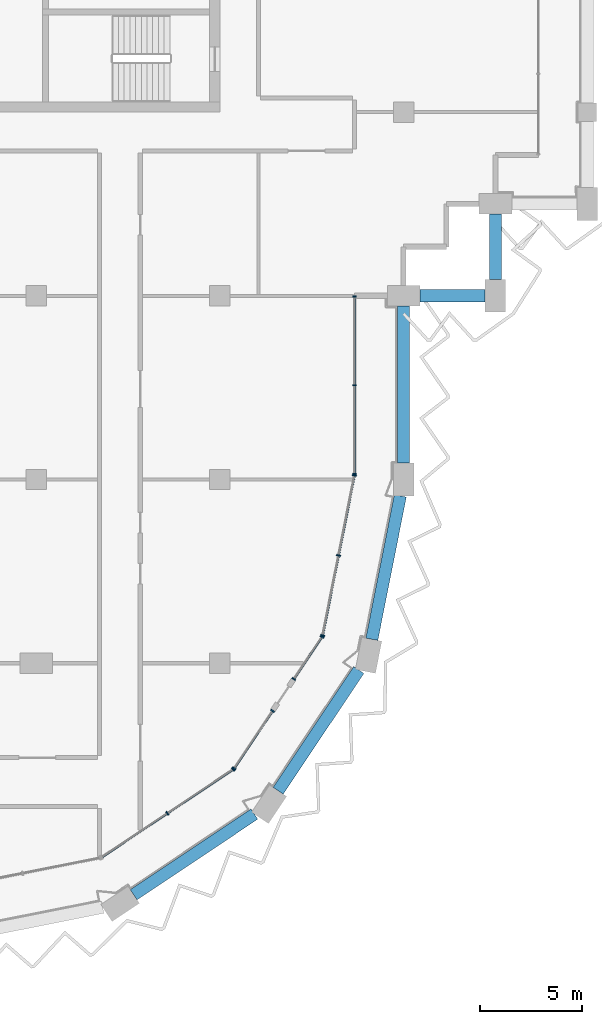
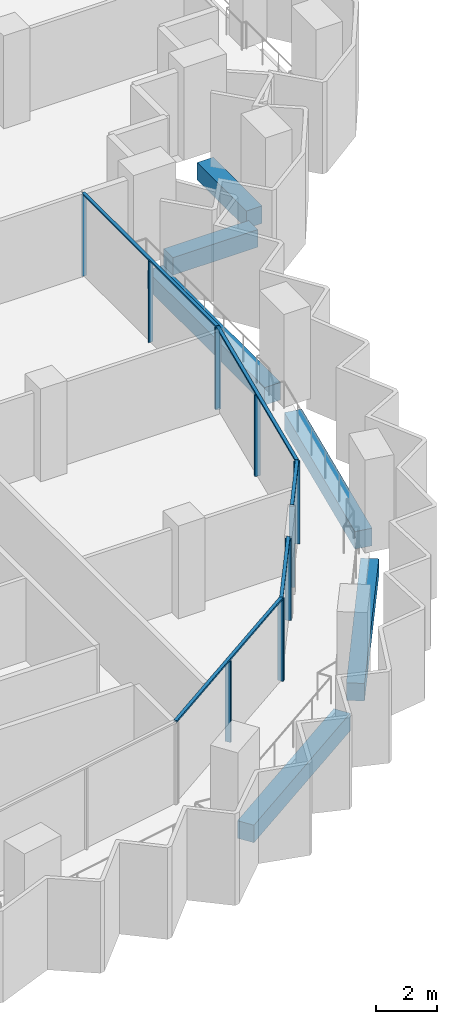
# One storey, part 3 of 16: 17 members, 6 beams, 5 elements without a shape of their own.
"""IFC4 building model written with IfcOpenShell, lengths in metres."""

from ifc_helpers import new_model, si_unit, direction, frame, origin, origin_2d, place, context, subcontext, project, spatial, rectangle, extrude, material, material_profile, profile_set, type_object, element, aggregate, save


model = new_model("IFC4")

# Units and contexts
model_context = context("Model", 3, precision=1e-05, world=origin(), true_north=direction((0.0, 1.0)))
body_context = subcontext(model_context, "Body", "Model", "MODEL_VIEW")
ifc_project = project(units=[si_unit("LENGTHUNIT", "METRE"), si_unit("AREAUNIT", "SQUARE_METRE"), si_unit("VOLUMEUNIT", "CUBIC_METRE"), si_unit("PLANEANGLEUNIT", "RADIAN"), si_unit("MASSUNIT", "GRAM", prefix="KILO")], contexts=[model_context])

# Site, building, storey
site_placement = place(None, origin())
site = spatial("IfcSite", under=ifc_project, at=site_placement, CompositionType="ELEMENT")
building_placement = place(site_placement, origin())
building = spatial("IfcBuilding", under=site, at=building_placement, Name="Hunhe Ridgeline Campus", CompositionType="ELEMENT")
storey_placement = place(building_placement, frame((0.0, 0.0, 242.89990234375)))
storey = spatial("IfcBuildingStorey", under=building, at=storey_placement, Name="L62", CompositionType="ELEMENT", Elevation=242.89990234375)

# Curtain wall, members
ifc_material_1 = material(Name="Aluminium 6063", Category="aluminium")
curtain_wall_type_1 = type_object("IfcCurtainWallType", Name="Curtain wall CW-1", PredefinedType="NOTDEFINED", material=ifc_material_1)
curtain_wall_1_placement = place(storey_placement, origin())
curtain_wall_1 = element("IfcCurtainWall", 1, at=curtain_wall_1_placement, inside=storey, type_object=curtain_wall_type_1, Name="Curtain wall 11", PredefinedType="NOTDEFINED")
ifc_material_profile_1 = material_profile(ifc_material_1, rectangle(XDim=0.159912109375, YDim=0.06005859375, at=origin_2d()))
ifc_profile_set_1 = profile_set([ifc_material_profile_1], Name="Aluminium 6063")
member_type_1 = type_object("IfcMemberType", Name="CW-1 aluminium mullion", PredefinedType="MULLION", material=ifc_profile_set_1)
member_1_placement = place(storey_placement, frame((42.59912109375, 45.266357421875, 0.0), z_axis=(0.0, 0.0, 1.0), x_axis=(-0.999999999814, 1.9283253e-05, 0.0)))
member_1 = element("IfcMember", 2, at=member_1_placement, type_object=member_type_1, Name="CW-1 mullion 1", PredefinedType="MULLION", context=body_context, shape_type="SweptSolid", body=[
    extrude(rectangle(XDim=0.159912109375, YDim=0.06005859375, at=origin_2d()), origin(), (0.0, 0.0, 1.0), 3.239990234375),
])
member_2_placement = place(storey_placement, frame((42.59912109375, 49.618408203125, 0.0), z_axis=(0.0, 0.0, 1.0), x_axis=(-0.999999999814, 1.9283253e-05, 0.0)))
member_2 = element("IfcMember", 3, at=member_2_placement, type_object=member_type_1, Name="CW-1 mullion 2", PredefinedType="MULLION", context=body_context, shape_type="SweptSolid", body=[
    extrude(rectangle(XDim=0.159912109375, YDim=0.06005859375, at=origin_2d()), origin(), (0.0, 0.0, 1.0), 3.239990234375),
])
member_3_placement = place(storey_placement, frame((42.59912109375, 53.970458984375, 0.0), z_axis=(0.0, 0.0, 1.0), x_axis=(-0.999999999814, 1.9283253e-05, 0.0)))
member_3 = element("IfcMember", 4, at=member_3_placement, type_object=member_type_1, Name="CW-1 mullion 3", PredefinedType="MULLION", context=body_context, shape_type="SweptSolid", body=[
    extrude(rectangle(XDim=0.159912109375, YDim=0.06005859375, at=origin_2d()), origin(), (0.0, 0.0, 1.0), 3.239990234375),
])
ifc_material_profile_2 = material_profile(ifc_material_1, rectangle(XDim=0.1201171875, YDim=0.06005859375, at=origin_2d()))
ifc_profile_set_2 = profile_set([ifc_material_profile_2], Name="Aluminium 6063")
member_type_2 = type_object("IfcMemberType", Name="CW-1 aluminium transom", PredefinedType="USERDEFINED", material=ifc_profile_set_2)
member_4_placement = place(storey_placement, frame((42.59912109375, 45.236572265625, 3.27001953125), z_axis=(0.0, 1.0, 0.0), x_axis=(-1.0, 0.0, 0.0)))
member_4 = element("IfcMember", 5, at=member_4_placement, type_object=member_type_2, Name="CW-1 transom 1", ObjectType="TRANSOM", PredefinedType="USERDEFINED", context=body_context, shape_type="SweptSolid", body=[
    extrude(rectangle(XDim=0.1201171875, YDim=0.06005859375, at=origin_2d()), origin(), (0.0, 0.0, 1.0), 8.763916015625),
])
aggregate(curtain_wall_1, [member_4, member_1, member_2, member_3])

curtain_wall_type_2 = type_object("IfcCurtainWallType", Name="Curtain wall CW-5", PredefinedType="NOTDEFINED", material=ifc_material_1)
curtain_wall_2_placement = place(storey_placement, origin())
curtain_wall_2 = element("IfcCurtainWall", 6, at=curtain_wall_2_placement, inside=storey, type_object=curtain_wall_type_2, Name="Curtain wall 07", PredefinedType="NOTDEFINED")
ifc_material_profile_3 = material_profile(ifc_material_1, rectangle(XDim=0.199951171875, YDim=0.070068359375, at=origin_2d()))
ifc_profile_set_3 = profile_set([ifc_material_profile_3], Name="Aluminium 6063")
member_type_3 = type_object("IfcMemberType", Name="CW-5 aluminium mullion", PredefinedType="MULLION", material=ifc_profile_set_3)
member_5_placement = place(storey_placement, frame((33.42626953125, 28.647705078125, 0.0), z_axis=(0.0, 0.0, 1.0), x_axis=(-0.555570274596, 0.831469584522, 0.0)))
member_5 = element("IfcMember", 7, at=member_5_placement, type_object=member_type_3, Name="CW-5 mullion 2", PredefinedType="MULLION", context=body_context, shape_type="SweptSolid", body=[
    extrude(rectangle(XDim=0.199951171875, YDim=0.070068359375, at=origin_2d()), origin(), (0.0, 0.0, 1.0), 3.22998046875),
])
member_6_placement = place(storey_placement, frame((36.649658203125, 30.8017578125, 0.0), z_axis=(0.0, 0.0, 1.0), x_axis=(-0.555570274596, 0.831469584522, 0.0)))
member_6 = element("IfcMember", 8, at=member_6_placement, type_object=member_type_3, Name="CW-5 mullion 3", PredefinedType="MULLION", context=body_context, shape_type="SweptSolid", body=[
    extrude(rectangle(XDim=0.199951171875, YDim=0.070068359375, at=origin_2d()), origin(), (0.0, 0.0, 1.0), 3.22998046875),
])

curtain_wall_3_placement = place(storey_placement, origin())
curtain_wall_3 = element("IfcCurtainWall", 9, at=curtain_wall_3_placement, inside=storey, type_object=curtain_wall_type_2, Name="Curtain wall 08", PredefinedType="NOTDEFINED")
member_7_placement = place(storey_placement, frame((36.6982421875, 30.850341796875, 0.0), z_axis=(0.0, 0.0, 1.0), x_axis=(-0.831469595944, 0.555570257501, 0.0)))
member_7 = element("IfcMember", 10, at=member_7_placement, type_object=member_type_3, Name="CW-5 mullion 1", PredefinedType="MULLION", context=body_context, shape_type="SweptSolid", body=[
    extrude(rectangle(XDim=0.199951171875, YDim=0.070068359375, at=origin_2d()), origin(), (0.0, 0.0, 1.0), 3.22998046875),
])
member_8_placement = place(storey_placement, frame((38.582763671875, 33.67041015625, 0.0), z_axis=(0.0, 0.0, 1.0), x_axis=(-0.831469595944, 0.555570257501, 0.0)))
member_8 = element("IfcMember", 11, at=member_8_placement, type_object=member_type_3, Name="CW-5 mullion 2", PredefinedType="MULLION", context=body_context, shape_type="SweptSolid", body=[
    extrude(rectangle(XDim=0.199951171875, YDim=0.070068359375, at=origin_2d()), origin(), (0.0, 0.0, 1.0), 3.22998046875),
])

curtain_wall_4_placement = place(storey_placement, origin())
curtain_wall_4 = element("IfcCurtainWall", 12, at=curtain_wall_4_placement, inside=storey, type_object=curtain_wall_type_2, Name="Curtain wall 09", PredefinedType="NOTDEFINED")
member_9_placement = place(storey_placement, frame((39.62158203125, 35.225341796875, 0.0), z_axis=(0.0, 0.0, 1.0), x_axis=(-0.831469510353, 0.555570385598, 0.0)))
member_9 = element("IfcMember", 13, at=member_9_placement, type_object=member_type_3, Name="CW-5 mullion 1", PredefinedType="MULLION", context=body_context, shape_type="SweptSolid", body=[
    extrude(rectangle(XDim=0.199951171875, YDim=0.070068359375, at=origin_2d()), origin(), (0.0, 0.0, 1.0), 3.22998046875),
])
member_10_placement = place(storey_placement, frame((41.006103515625, 37.29736328125, 0.0), z_axis=(0.0, 0.0, 1.0), x_axis=(-0.831469510353, 0.555570385598, 0.0)))
member_10 = element("IfcMember", 14, at=member_10_placement, type_object=member_type_3, Name="CW-5 mullion 2", PredefinedType="MULLION", context=body_context, shape_type="SweptSolid", body=[
    extrude(rectangle(XDim=0.199951171875, YDim=0.070068359375, at=origin_2d()), origin(), (0.0, 0.0, 1.0), 3.22998046875),
])

curtain_wall_5_placement = place(storey_placement, origin())
curtain_wall_5 = element("IfcCurtainWall", 15, at=curtain_wall_5_placement, inside=storey, type_object=curtain_wall_type_2, Name="Curtain wall 10", PredefinedType="NOTDEFINED")
member_11_placement = place(storey_placement, frame((41.032470703125, 37.36083984375, 0.0), z_axis=(0.0, 0.0, 1.0), x_axis=(-0.980785284939, 0.195090299215, 0.0)))
member_11 = element("IfcMember", 16, at=member_11_placement, type_object=member_type_3, Name="CW-5 mullion 1", PredefinedType="MULLION", context=body_context, shape_type="SweptSolid", body=[
    extrude(rectangle(XDim=0.199951171875, YDim=0.070068359375, at=origin_2d()), origin(), (0.0, 0.0, 1.0), 3.22998046875),
])
member_12_placement = place(storey_placement, frame((41.812255859375, 41.281494140625, 0.0), z_axis=(0.0, 0.0, 1.0), x_axis=(-0.980785284939, 0.195090299215, 0.0)))
member_12 = element("IfcMember", 17, at=member_12_placement, type_object=member_type_3, Name="CW-5 mullion 2", PredefinedType="MULLION", context=body_context, shape_type="SweptSolid", body=[
    extrude(rectangle(XDim=0.199951171875, YDim=0.070068359375, at=origin_2d()), origin(), (0.0, 0.0, 1.0), 3.22998046875),
])
member_13_placement = place(storey_placement, frame((42.59228515625, 45.2021484375, 0.0), z_axis=(0.0, 0.0, 1.0), x_axis=(-0.980785284939, 0.195090299215, 0.0)))
member_13 = element("IfcMember", 18, at=member_13_placement, type_object=member_type_3, Name="CW-5 mullion 3", PredefinedType="MULLION", context=body_context, shape_type="SweptSolid", body=[
    extrude(rectangle(XDim=0.199951171875, YDim=0.070068359375, at=origin_2d()), origin(), (0.0, 0.0, 1.0), 3.22998046875),
])

# Member
ifc_material_profile_4 = material_profile(ifc_material_1, rectangle(XDim=0.1201171875, YDim=0.070068359375, at=origin_2d()))
ifc_profile_set_4 = profile_set([ifc_material_profile_4], Name="Aluminium 6063")
member_type_4 = type_object("IfcMemberType", Name="CW-5 aluminium transom", PredefinedType="USERDEFINED", material=ifc_profile_set_4)
member_14_placement = place(storey_placement, frame((30.173583984375, 26.474365234375, 3.26513671875), z_axis=(0.831473763475, 0.5555640203, 0.0), x_axis=(-0.5555640203, 0.831473763475, 0.0)))
member_14 = element("IfcMember", 19, at=member_14_placement, type_object=member_type_4, Name="CW-5 transom 1", ObjectType="TRANSOM", PredefinedType="USERDEFINED", context=body_context, shape_type="SweptSolid", body=[
    extrude(rectangle(XDim=0.1201171875, YDim=0.070068359375, at=origin_2d()), origin(), (0.0, 0.0, 1.0), 7.823974609375),
])

aggregate(curtain_wall_2, [member_14, member_5, member_6])

member_15_placement = place(storey_placement, frame((36.678955078125, 30.821044921875, 3.26513671875), z_axis=(0.555546133463, 0.831485714606, 0.0), x_axis=(-0.831485714606, 0.555546133463, 0.0)))
member_15 = element("IfcMember", 20, at=member_15_placement, type_object=member_type_4, Name="CW-5 transom 1", ObjectType="TRANSOM", PredefinedType="USERDEFINED", context=body_context, shape_type="SweptSolid", body=[
    extrude(rectangle(XDim=0.1201171875, YDim=0.070068359375, at=origin_2d()), origin(), (0.0, 0.0, 1.0), 3.462158203125),
])

aggregate(curtain_wall_3, [member_15, member_7, member_8])

member_16_placement = place(storey_placement, frame((39.602294921875, 35.1962890625, 3.26513671875), z_axis=(0.555579547735, 0.831463388334, 0.0), x_axis=(-0.831463388334, 0.555579547735, 0.0)))
member_16 = element("IfcMember", 21, at=member_16_placement, type_object=member_type_4, Name="CW-5 transom 1", ObjectType="TRANSOM", PredefinedType="USERDEFINED", context=body_context, shape_type="SweptSolid", body=[
    extrude(rectangle(XDim=0.1201171875, YDim=0.070068359375, at=origin_2d()), origin(), (0.0, 0.0, 1.0), 2.56201171875),
])

aggregate(curtain_wall_4, [member_16, member_9, member_10])

member_17_placement = place(storey_placement, frame((41.025634765625, 37.326416015625, 3.26513671875), z_axis=(0.195097290093, 0.980783894341, 0.0), x_axis=(-0.980783894341, 0.195097290093, 0.0)))
member_17 = element("IfcMember", 22, at=member_17_placement, type_object=member_type_4, Name="CW-5 transom 1", ObjectType="TRANSOM", PredefinedType="USERDEFINED", context=body_context, shape_type="SweptSolid", body=[
    extrude(rectangle(XDim=0.1201171875, YDim=0.070068359375, at=origin_2d()), origin(), (0.0, 0.0, 1.0), 8.065185546875),
])

aggregate(curtain_wall_5, [member_17, member_11, member_12, member_13])

# Beams
ifc_material_2 = material(Name="Concrete C50", Category="concrete")
ifc_material_profile_5 = material_profile(ifc_material_2, rectangle(XDim=0.60009765625, YDim=0.699951171875, at=origin_2d()))
ifc_profile_set_5 = profile_set([ifc_material_profile_5], Name="Concrete C50")
beam_type = type_object("IfcBeamType", Name="RC spandrel beam 600x700 Concrete C50", PredefinedType="SPANDREL", material=ifc_profile_set_5)
for number, where, z_axis, x_axis, name in (
    (23, (31.775634765625, 24.6572265625, -0.599853515625), (0.831463706344, 0.55557907181, 0.0), (-0.55557907181, 0.831463706344, 0.0), "Spandrel beam B4-6 L62"),
    (24, (38.854248046875, 29.75537109375, -0.599853515625), (0.55557907181, 0.831463706344, 0.0), (-0.831463706344, 0.55557907181, 0.0), "Spandrel beam B4-7 L62"),
):
    element("IfcBeam", number, at=place(storey_placement, frame(where, z_axis=z_axis, x_axis=x_axis)), inside=storey, type_object=beam_type, Name=name, PredefinedType="SPANDREL", context=body_context, shape_type="SweptSolid", body=[
        extrude(rectangle(XDim=0.60009765625, YDim=0.699951171875, at=origin_2d()), origin(), (0.0, 0.0, 1.0), 7.113037109375),
    ])
beam_1_placement = place(storey_placement, frame((43.443359375, 37.17431640625, -0.599853515625), z_axis=(0.195087004291, 0.980785940334, 0.0), x_axis=(-0.980785940334, 0.195087004291, 0.0)))
element("IfcBeam", 25, at=beam_1_placement, inside=storey, type_object=beam_type, Name="Spandrel beam B4-8 L62", PredefinedType="SPANDREL", context=body_context, shape_type="SweptSolid", body=[
    extrude(rectangle(XDim=0.60009765625, YDim=0.699951171875, at=origin_2d()), origin(), (0.0, 0.0, 1.0), 7.163330078125),
])
beam_2_placement = place(storey_placement, frame((45.0, 45.800048828125, -0.599853515625), z_axis=(0.0, 1.0, 0.0), x_axis=(-1.0, 0.0, 0.0)))
element("IfcBeam", 26, at=beam_2_placement, inside=storey, type_object=beam_type, Name="Spandrel beam B4-9 L62", PredefinedType="SPANDREL", context=body_context, shape_type="SweptSolid", body=[
    extrude(rectangle(XDim=0.60009765625, YDim=0.699951171875, at=origin_2d()), origin(), (0.0, 0.0, 1.0), 7.699951171875),
])
for number, where, z_axis, x_axis, name in (
    (27, (45.800048828125, 54.0, -0.599853515625), (1.0, 0.0, 0.0), (0.0, 1.0, 0.0), "Spandrel beam B4-10 L62"),
    (28, (49.5, 54.800048828125, -0.599853515625), (0.0, 1.0, 0.0), (-1.0, 0.0, 0.0), "Spandrel beam B4-11 L62"),
):
    element("IfcBeam", number, at=place(storey_placement, frame(where, z_axis=z_axis, x_axis=x_axis)), inside=storey, type_object=beam_type, Name=name, PredefinedType="SPANDREL", context=body_context, shape_type="SweptSolid", body=[
        extrude(rectangle(XDim=0.60009765625, YDim=0.699951171875, at=origin_2d()), origin(), (0.0, 0.0, 1.0), 3.199951171875),
    ])

save(model, "model.ifc")
